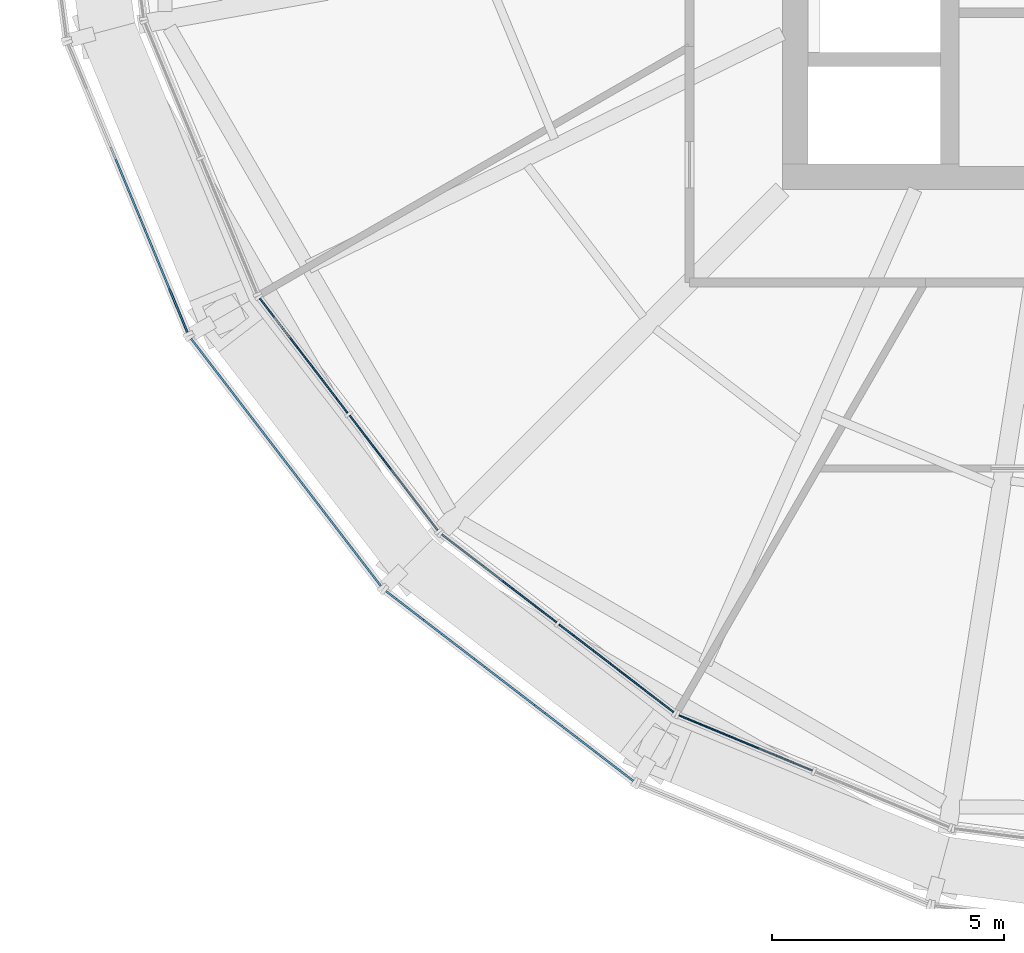
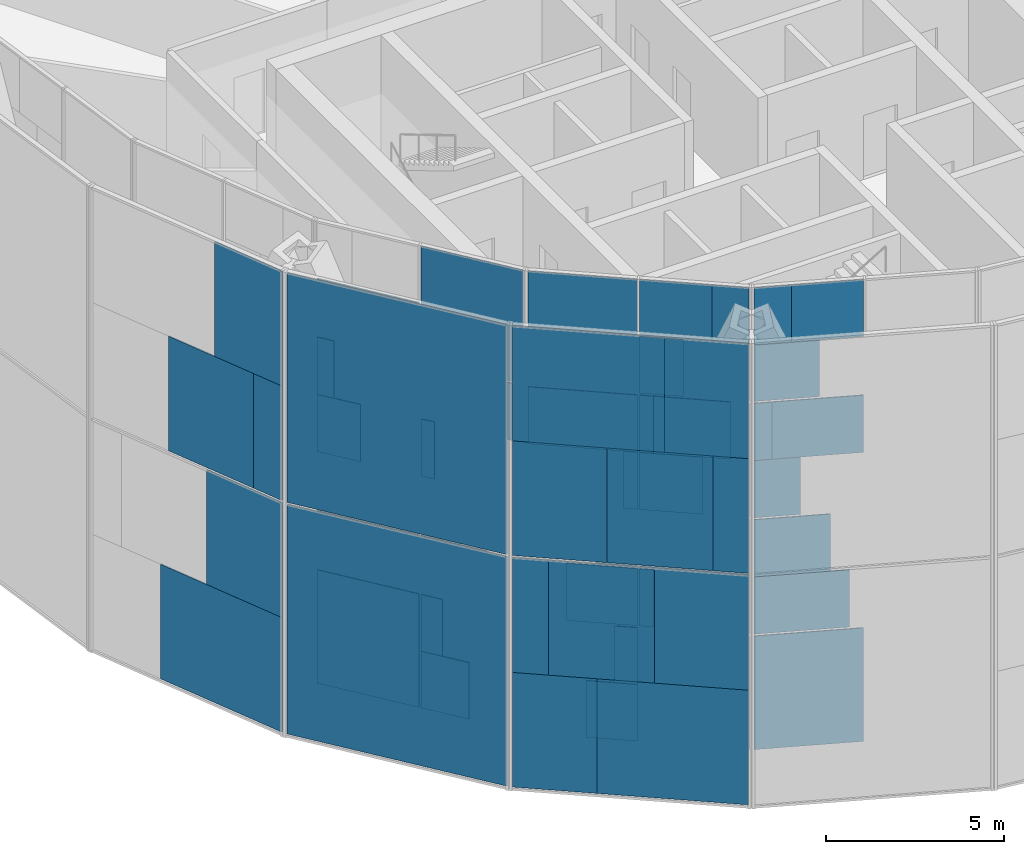
# One storey, part 13 of 30: 63 plates, 6 elements without a shape of their own.
"""IFC4 building model written with IfcOpenShell, lengths in metres."""

from ifc_helpers import new_model, si_unit, direction, frame, origin, origin_2d, place, context, subcontext, project, spatial, rectangle, extrude, material, layer, layer_set, type_object, element, aggregate, save


model = new_model("IFC4")

# Units and contexts
model_context = context("Model", 3, precision=1e-05, world=origin(), true_north=direction((0.0, 1.0)))
body_context = subcontext(model_context, "Body", "Model", "MODEL_VIEW")
ifc_project = project(units=[si_unit("LENGTHUNIT", "METRE"), si_unit("AREAUNIT", "SQUARE_METRE"), si_unit("VOLUMEUNIT", "CUBIC_METRE"), si_unit("PLANEANGLEUNIT", "RADIAN"), si_unit("MASSUNIT", "GRAM", prefix="KILO")], contexts=[model_context])

# Site, building, storey
site_placement = place(None, origin())
site = spatial("IfcSite", under=ifc_project, at=site_placement, CompositionType="ELEMENT")
building_placement = place(site_placement, origin())
building = spatial("IfcBuilding", under=site, at=building_placement, Name="Golbaran Civic Tower", CompositionType="ELEMENT")
storey_placement = place(building_placement, frame((0.0, 0.0, 102.0)))
storey = spatial("IfcBuildingStorey", under=building, at=storey_placement, Name="L24", CompositionType="ELEMENT", Elevation=102.0)

# Curtain wall, plates
ifc_material_1 = material(Name="Aluminium and glass", Category="aluminium")
curtain_wall_type_1 = type_object("IfcCurtainWallType", Name="INNER SKIN CURTAIN WALL", PredefinedType="NOTDEFINED", material=ifc_material_1)
curtain_wall_1_placement = place(storey_placement, origin())
curtain_wall_1 = element("IfcCurtainWall", 1, at=curtain_wall_1_placement, inside=storey, type_object=curtain_wall_type_1, Name="Inner skin L24 facet 15 CW1", ObjectType="INNER SKIN", PredefinedType="USERDEFINED")
ifc_material_2 = material(Name="Clear insulating glass", Category="glass")
ifc_layer_1 = layer(ifc_material_2, 0.031982421875, Name="Clear insulating glass")
ifc_layer_set_1 = layer_set([ifc_layer_1], Name="Clear insulating glass")
plate_type_1 = type_object("IfcPlateType", Name="INNER SKIN CURTAIN WALL GLAZED PANEL", PredefinedType="CURTAIN_PANEL", material=ifc_layer_set_1)
plate_1_placement = place(storey_placement, frame((-20.298828125, -13.574462890625, 0.06494140625), z_axis=(0.0, 0.0, 1.0), x_axis=(0.608761428995, -0.793353340302, 0.0)))
plate_1 = element("IfcPlate", 2, at=plate_1_placement, type_object=plate_type_1, Name="CW1 panel 1.1", PredefinedType="CURTAIN_PANEL", context=body_context, shape_type="SweptSolid", body=[
    extrude(rectangle(XDim=3.110595703125, YDim=0.031982421875, at=origin_2d()), origin(), (0.0, 0.0, 1.0), 3.902587890625),
])
plate_2_placement = place(storey_placement, frame((-20.421142578125, -13.415283203125, 4.03271484375), z_axis=(0.0, 0.0, 1.0), x_axis=(0.608761428995, -0.793353340302, 0.0)))
plate_2 = element("IfcPlate", 3, at=plate_2_placement, type_object=plate_type_1, Name="CW1 panel 1.2 part 1", PredefinedType="CURTAIN_PANEL", context=body_context, shape_type="SweptSolid", body=[
    extrude(rectangle(XDim=2.708984375, YDim=0.031982421875, at=origin_2d()), origin(), (0.0, 0.0, 1.0), 1.967529296875),
])
plate_3_placement = place(storey_placement, frame((-20.584716796875, -13.20166015625, 6.0), z_axis=(0.0, 0.0, 1.0), x_axis=(0.608761428995, -0.793353340302, 0.0)))
plate_3 = element("IfcPlate", 4, at=plate_3_placement, type_object=plate_type_1, Name="CW1 panel 1.2 part 3", PredefinedType="CURTAIN_PANEL", context=body_context, shape_type="SweptSolid", body=[
    extrude(rectangle(XDim=2.1708984375, YDim=0.031982421875, at=origin_2d()), origin(), (0.0, 0.0, 1.0), 1.967529296875),
])
plate_4_placement = place(storey_placement, frame((-20.841064453125, -12.86767578125, 8.03271484375), z_axis=(0.0, 0.0, 1.0), x_axis=(0.608761428995, -0.793353340302, 0.0)))
plate_4 = element("IfcPlate", 5, at=plate_4_placement, type_object=plate_type_1, Name="CW1 panel 1.3 part 1", PredefinedType="CURTAIN_PANEL", context=body_context, shape_type="SweptSolid", body=[
    extrude(rectangle(XDim=1.3291015625, YDim=0.031982421875, at=origin_2d()), origin(), (0.0, 0.0, 1.0), 1.967529296875),
])
plate_5_placement = place(storey_placement, frame((-21.089111328125, -12.54443359375, 10.0), z_axis=(0.0, 0.0, 1.0), x_axis=(0.608761428995, -0.793353340302, 0.0)))
plate_5 = element("IfcPlate", 6, at=plate_5_placement, type_object=plate_type_1, Name="CW1 panel 1.3 part 3", PredefinedType="CURTAIN_PANEL", context=body_context, shape_type="SweptSolid", body=[
    extrude(rectangle(XDim=0.513916015625, YDim=0.031982421875, at=origin_2d()), origin(), (0.0, 0.0, 1.0), 1.967529296875),
])
plate_6_placement = place(storey_placement, frame((-19.72998046875, -14.31591796875, 12.032470703125), z_axis=(0.0, 0.0, 1.0), x_axis=(0.608761428995, -0.793353340302, 0.0)))
plate_6 = element("IfcPlate", 7, at=plate_6_placement, type_object=plate_type_1, Name="CW1 panel 1.4 part 2", PredefinedType="CURTAIN_PANEL", context=body_context, shape_type="SweptSolid", body=[
    extrude(rectangle(XDim=1.241455078125, YDim=0.031982421875, at=origin_2d()), origin(), (0.0, 0.0, 1.0), 1.951171875),
])
plate_7_placement = place(storey_placement, frame((-18.867919921875, -15.43896484375, 0.06494140625), z_axis=(0.0, 0.0, 1.0), x_axis=(0.608761428995, -0.793353340302, 0.0)))
plate_7 = element("IfcPlate", 8, at=plate_7_placement, type_object=plate_type_1, Name="CW1 panel 2.1 part 1", PredefinedType="CURTAIN_PANEL", context=body_context, shape_type="SweptSolid", body=[
    extrude(rectangle(XDim=1.4599609375, YDim=0.031982421875, at=origin_2d()), origin(), (0.0, 0.0, 1.0), 1.951171875),
])
plate_8_placement = place(storey_placement, frame((-19.114013671875, -15.11865234375, 2.016357421875), z_axis=(0.0, 0.0, 1.0), x_axis=(0.608761428995, -0.793353340302, 0.0)))
plate_8 = element("IfcPlate", 9, at=plate_8_placement, type_object=plate_type_1, Name="CW1 panel 2.1 part 3", PredefinedType="CURTAIN_PANEL", context=body_context, shape_type="SweptSolid", body=[
    extrude(rectangle(XDim=0.652099609375, YDim=0.031982421875, at=origin_2d()), origin(), (0.0, 0.0, 1.0), 1.951171875),
])
plate_9_placement = place(storey_placement, frame((-18.36572265625, -16.09375, 10.0), z_axis=(0.0, 0.0, 1.0), x_axis=(0.608761428995, -0.793353340302, 0.0)))
plate_9 = element("IfcPlate", 10, at=plate_9_placement, type_object=plate_type_1, Name="CW1 panel 2.3 part 3", PredefinedType="CURTAIN_PANEL", context=body_context, shape_type="SweptSolid", body=[
    extrude(rectangle(XDim=3.110595703125, YDim=0.031982421875, at=origin_2d()), origin(), (0.0, 0.0, 1.0), 1.967529296875),
])
plate_10_placement = place(storey_placement, frame((-18.36572265625, -16.09375, 12.0322265625), z_axis=(0.0, 0.0, 1.0), x_axis=(0.608761428995, -0.793353340302, 0.0)))
plate_10 = element("IfcPlate", 11, at=plate_10_placement, type_object=plate_type_1, Name="CW1 panel 2.4", PredefinedType="CURTAIN_PANEL", context=body_context, shape_type="SweptSolid", body=[
    extrude(rectangle(XDim=3.110595703125, YDim=0.031982421875, at=origin_2d()), origin(), (0.0, 0.0, 1.0), 3.902587890625),
])

curtain_wall_2_placement = place(storey_placement, origin())
curtain_wall_2 = element("IfcCurtainWall", 12, at=curtain_wall_2_placement, inside=storey, type_object=curtain_wall_type_1, Name="Inner skin L24 facet 16 CW1", ObjectType="INNER SKIN", PredefinedType="USERDEFINED")
plate_11_placement = place(storey_placement, frame((-15.439208984375, -18.867919921875, 0.06494140625), z_axis=(0.0, 0.0, 1.0), x_axis=(0.793353340302, -0.608761428995, 0.0)))
plate_11 = element("IfcPlate", 13, at=plate_11_placement, type_object=plate_type_1, Name="CW1 panel 1.1 part 2", PredefinedType="CURTAIN_PANEL", context=body_context, shape_type="SweptSolid", body=[
    extrude(rectangle(XDim=1.460693359375, YDim=0.031982421875, at=origin_2d()), origin(), (0.0, 0.0, 1.0), 1.951171875),
])
plate_12_placement = place(storey_placement, frame((-15.118408203125, -19.114013671875, 2.016357421875), z_axis=(0.0, 0.0, 1.0), x_axis=(0.793353340302, -0.608761428995, 0.0)))
plate_12 = element("IfcPlate", 14, at=plate_12_placement, type_object=plate_type_1, Name="CW1 panel 1.1 part 4", PredefinedType="CURTAIN_PANEL", context=body_context, shape_type="SweptSolid", body=[
    extrude(rectangle(XDim=0.651611328125, YDim=0.031982421875, at=origin_2d()), origin(), (0.0, 0.0, 1.0), 1.951171875),
])
plate_13_placement = place(storey_placement, frame((-16.09375, -18.36572265625, 10.0), z_axis=(0.0, 0.0, 1.0), x_axis=(0.793353340302, -0.608761428995, 0.0)))
plate_13 = element("IfcPlate", 15, at=plate_13_placement, type_object=plate_type_1, Name="CW1 panel 1.3 part 3", PredefinedType="CURTAIN_PANEL", context=body_context, shape_type="SweptSolid", body=[
    extrude(rectangle(XDim=3.110595703125, YDim=0.031982421875, at=origin_2d()), origin(), (0.0, 0.0, 1.0), 1.967529296875),
])
plate_14_placement = place(storey_placement, frame((-16.09375, -18.36572265625, 12.0322265625), z_axis=(0.0, 0.0, 1.0), x_axis=(0.793353340302, -0.608761428995, 0.0)))
plate_14 = element("IfcPlate", 16, at=plate_14_placement, type_object=plate_type_1, Name="CW1 panel 1.4", PredefinedType="CURTAIN_PANEL", context=body_context, shape_type="SweptSolid", body=[
    extrude(rectangle(XDim=3.110595703125, YDim=0.031982421875, at=origin_2d()), origin(), (0.0, 0.0, 1.0), 3.902587890625),
])
plate_15_placement = place(storey_placement, frame((-13.574462890625, -20.298828125, 0.06494140625), z_axis=(0.0, 0.0, 1.0), x_axis=(0.793353340302, -0.608761428995, 0.0)))
plate_15 = element("IfcPlate", 17, at=plate_15_placement, type_object=plate_type_1, Name="CW1 panel 2.1", PredefinedType="CURTAIN_PANEL", context=body_context, shape_type="SweptSolid", body=[
    extrude(rectangle(XDim=3.110595703125, YDim=0.031982421875, at=origin_2d()), origin(), (0.0, 0.0, 1.0), 3.902587890625),
])
plate_16_placement = place(storey_placement, frame((-13.415283203125, -20.4208984375, 4.03271484375), z_axis=(0.0, 0.0, 1.0), x_axis=(0.793353340302, -0.608761428995, 0.0)))
plate_16 = element("IfcPlate", 18, at=plate_16_placement, type_object=plate_type_1, Name="CW1 panel 2.2 part 2", PredefinedType="CURTAIN_PANEL", context=body_context, shape_type="SweptSolid", body=[
    extrude(rectangle(XDim=2.70947265625, YDim=0.031982421875, at=origin_2d()), origin(), (0.0, 0.0, 1.0), 1.967529296875),
])
plate_17_placement = place(storey_placement, frame((-13.20166015625, -20.5849609375, 6.0), z_axis=(0.0, 0.0, 1.0), x_axis=(0.793353340302, -0.608761428995, 0.0)))
plate_17 = element("IfcPlate", 19, at=plate_17_placement, type_object=plate_type_1, Name="CW1 panel 2.2 part 4", PredefinedType="CURTAIN_PANEL", context=body_context, shape_type="SweptSolid", body=[
    extrude(rectangle(XDim=2.170654296875, YDim=0.031982421875, at=origin_2d()), origin(), (0.0, 0.0, 1.0), 1.967529296875),
])
plate_18_placement = place(storey_placement, frame((-12.86767578125, -20.84130859375, 8.03271484375), z_axis=(0.0, 0.0, 1.0), x_axis=(0.793353340302, -0.608761428995, 0.0)))
plate_18 = element("IfcPlate", 20, at=plate_18_placement, type_object=plate_type_1, Name="CW1 panel 2.3 part 2", PredefinedType="CURTAIN_PANEL", context=body_context, shape_type="SweptSolid", body=[
    extrude(rectangle(XDim=1.32861328125, YDim=0.031982421875, at=origin_2d()), origin(), (0.0, 0.0, 1.0), 1.967529296875),
])
plate_19_placement = place(storey_placement, frame((-14.649658203125, -19.473876953125, 10.0), z_axis=(0.0, 0.0, 1.0), x_axis=(0.793353340302, -0.608761428995, 0.0)))
plate_19 = element("IfcPlate", 21, at=plate_19_placement, type_object=plate_type_1, Name="CW1 panel 2.3 part 3", PredefinedType="CURTAIN_PANEL", context=body_context, shape_type="SweptSolid", body=[
    extrude(rectangle(XDim=0.39990234375, YDim=0.031982421875, at=origin_2d()), origin(), (0.0, 0.0, 1.0), 1.967529296875),
])
plate_20_placement = place(storey_placement, frame((-12.544189453125, -21.08935546875, 10.0), z_axis=(0.0, 0.0, 1.0), x_axis=(0.793353340302, -0.608761428995, 0.0)))
plate_20 = element("IfcPlate", 22, at=plate_20_placement, type_object=plate_type_1, Name="CW1 panel 2.3 part 5", PredefinedType="CURTAIN_PANEL", context=body_context, shape_type="SweptSolid", body=[
    extrude(rectangle(XDim=0.513671875, YDim=0.031982421875, at=origin_2d()), origin(), (0.0, 0.0, 1.0), 1.967529296875),
])
plate_21_placement = place(storey_placement, frame((-14.315673828125, -19.72998046875, 12.032470703125), z_axis=(0.0, 0.0, 1.0), x_axis=(0.793353340302, -0.608761428995, 0.0)))
plate_21 = element("IfcPlate", 23, at=plate_21_placement, type_object=plate_type_1, Name="CW1 panel 2.4 part 1", PredefinedType="CURTAIN_PANEL", context=body_context, shape_type="SweptSolid", body=[
    extrude(rectangle(XDim=1.241943359375, YDim=0.031982421875, at=origin_2d()), origin(), (0.0, 0.0, 1.0), 1.951171875),
])
plate_22_placement = place(storey_placement, frame((-13.9951171875, -19.97607421875, 13.98388671875), z_axis=(0.0, 0.0, 1.0), x_axis=(0.793353340302, -0.608761428995, 0.0)))
plate_22 = element("IfcPlate", 24, at=plate_22_placement, type_object=plate_type_1, Name="CW1 panel 2.4 part 3", PredefinedType="CURTAIN_PANEL", context=body_context, shape_type="SweptSolid", body=[
    extrude(rectangle(XDim=2.050048828125, YDim=0.031982421875, at=origin_2d()), origin(), (0.0, 0.0, 1.0), 1.951171875),
])

curtain_wall_3_placement = place(storey_placement, origin())
curtain_wall_3 = element("IfcCurtainWall", 25, at=curtain_wall_3_placement, inside=storey, type_object=curtain_wall_type_1, Name="Inner skin L24 facet 17 CW1", ObjectType="INNER SKIN", PredefinedType="USERDEFINED")
plate_23_placement = place(storey_placement, frame((-10.7919921875, -21.9052734375, 0.06494140625), z_axis=(0.0, 0.0, 1.0), x_axis=(0.923879532465, -0.382683432478, 0.0)))
plate_23 = element("IfcPlate", 26, at=plate_23_placement, type_object=plate_type_1, Name="CW1 panel 1.1", PredefinedType="CURTAIN_PANEL", context=body_context, shape_type="SweptSolid", body=[
    extrude(rectangle(XDim=3.110595703125, YDim=0.031982421875, at=origin_2d()), origin(), (0.0, 0.0, 1.0), 3.902587890625),
])
plate_24_placement = place(storey_placement, frame((-10.9775390625, -21.828369140625, 4.03271484375), z_axis=(0.0, 0.0, 1.0), x_axis=(0.923879532465, -0.382683432478, 0.0)))
plate_24 = element("IfcPlate", 27, at=plate_24_placement, type_object=plate_type_1, Name="CW1 panel 1.2 part 1", PredefinedType="CURTAIN_PANEL", context=body_context, shape_type="SweptSolid", body=[
    extrude(rectangle(XDim=2.708984375, YDim=0.031982421875, at=origin_2d()), origin(), (0.0, 0.0, 1.0), 1.967529296875),
])
plate_25_placement = place(storey_placement, frame((-11.22607421875, -21.725341796875, 6.0), z_axis=(0.0, 0.0, 1.0), x_axis=(0.923879532465, -0.382683432478, 0.0)))
plate_25 = element("IfcPlate", 28, at=plate_25_placement, type_object=plate_type_1, Name="CW1 panel 1.2 part 3", PredefinedType="CURTAIN_PANEL", context=body_context, shape_type="SweptSolid", body=[
    extrude(rectangle(XDim=2.1708984375, YDim=0.031982421875, at=origin_2d()), origin(), (0.0, 0.0, 1.0), 1.967529296875),
])
plate_26_placement = place(storey_placement, frame((-11.614990234375, -21.564453125, 8.03271484375), z_axis=(0.0, 0.0, 1.0), x_axis=(0.923879532465, -0.382683432478, 0.0)))
plate_26 = element("IfcPlate", 29, at=plate_26_placement, type_object=plate_type_1, Name="CW1 panel 1.3 part 1", PredefinedType="CURTAIN_PANEL", context=body_context, shape_type="SweptSolid", body=[
    extrude(rectangle(XDim=1.3291015625, YDim=0.031982421875, at=origin_2d()), origin(), (0.0, 0.0, 1.0), 1.967529296875),
])
plate_27_placement = place(storey_placement, frame((-11.991455078125, -21.408447265625, 10.0), z_axis=(0.0, 0.0, 1.0), x_axis=(0.923879532465, -0.382683432478, 0.0)))
plate_27 = element("IfcPlate", 30, at=plate_27_placement, type_object=plate_type_1, Name="CW1 panel 1.3 part 3", PredefinedType="CURTAIN_PANEL", context=body_context, shape_type="SweptSolid", body=[
    extrude(rectangle(XDim=0.513916015625, YDim=0.031982421875, at=origin_2d()), origin(), (0.0, 0.0, 1.0), 1.967529296875),
])
plate_28_placement = place(storey_placement, frame((-10.302001953125, -22.108154296875, 13.98388671875), z_axis=(0.0, 0.0, 1.0), x_axis=(0.923879532465, -0.382683432478, 0.0)))
plate_28 = element("IfcPlate", 31, at=plate_28_placement, type_object=plate_type_1, Name="CW1 panel 1.4 part 4", PredefinedType="CURTAIN_PANEL", context=body_context, shape_type="SweptSolid", body=[
    extrude(rectangle(XDim=2.049560546875, YDim=0.031982421875, at=origin_2d()), origin(), (0.0, 0.0, 1.0), 1.951171875),
])

# Plate
ifc_material_3 = material(Name="Aluminium faced opaque infill panel", Category="aluminium")
ifc_layer_2 = layer(ifc_material_3, 0.031982421875, Name="Aluminium faced opaque infill panel")
ifc_layer_set_2 = layer_set([ifc_layer_2], Name="Aluminium faced opaque infill panel")
plate_type_2 = type_object("IfcPlateType", Name="INNER SKIN CURTAIN WALL OPAQUE INFILL PANEL", PredefinedType="CURTAIN_PANEL", material=ifc_layer_set_2)
plate_29_placement = place(storey_placement, frame((-19.47412109375, -14.649169921875, 4.03271484375), z_axis=(0.0, 0.0, 1.0), x_axis=(0.608761428995, -0.793353340302, 0.0)))
plate_29 = element("IfcPlate", 32, at=plate_29_placement, type_object=plate_type_2, Name="CW1 infill panel 1.2 part 2", PredefinedType="CURTAIN_PANEL", context=body_context, shape_type="SweptSolid", body=[
    extrude(rectangle(XDim=0.401611328125, YDim=0.031982421875, at=origin_2d()), origin(), (0.0, 0.0, 1.0), 1.967529296875),
])

plate_30_placement = place(storey_placement, frame((-19.637939453125, -14.435546875, 6.0), z_axis=(0.0, 0.0, 1.0), x_axis=(0.608761428995, -0.793353340302, 0.0)))
plate_30 = element("IfcPlate", 33, at=plate_30_placement, type_object=plate_type_2, Name="CW1 infill panel 1.2 part 4", PredefinedType="CURTAIN_PANEL", context=body_context, shape_type="SweptSolid", body=[
    extrude(rectangle(XDim=0.939453125, YDim=0.031982421875, at=origin_2d()), origin(), (0.0, 0.0, 1.0), 1.967529296875),
])

plate_31_placement = place(storey_placement, frame((-20.6767578125, -13.08203125, 12.032470703125), z_axis=(0.0, 0.0, 1.0), x_axis=(0.608761428995, -0.793353340302, 0.0)))
plate_31 = element("IfcPlate", 34, at=plate_31_placement, type_object=plate_type_2, Name="CW1 infill panel 1.4 part 1", PredefinedType="CURTAIN_PANEL", context=body_context, shape_type="SweptSolid", body=[
    extrude(rectangle(XDim=1.868896484375, YDim=0.031982421875, at=origin_2d()), origin(), (0.0, 0.0, 1.0), 1.951171875),
])

plate_32_placement = place(storey_placement, frame((-18.70166015625, -15.656005859375, 4.03271484375), z_axis=(0.0, 0.0, 1.0), x_axis=(0.608761428995, -0.793353340302, 0.0)))
plate_32 = element("IfcPlate", 35, at=plate_32_placement, type_object=plate_type_2, Name="CW1 infill panel 2.2 part 1", PredefinedType="CURTAIN_PANEL", context=body_context, shape_type="SweptSolid", body=[
    extrude(rectangle(XDim=2.007080078125, YDim=0.031982421875, at=origin_2d()), origin(), (0.0, 0.0, 1.0), 1.967529296875),
])

plate_33_placement = place(storey_placement, frame((-18.94970703125, -15.332763671875, 6.0), z_axis=(0.0, 0.0, 1.0), x_axis=(0.608761428995, -0.793353340302, 0.0)))
plate_33 = element("IfcPlate", 36, at=plate_33_placement, type_object=plate_type_2, Name="CW1 infill panel 2.2 part 3", PredefinedType="CURTAIN_PANEL", context=body_context, shape_type="SweptSolid", body=[
    extrude(rectangle(XDim=1.19189453125, YDim=0.031982421875, at=origin_2d()), origin(), (0.0, 0.0, 1.0), 1.967529296875),
])

plate_34_placement = place(storey_placement, frame((-19.190673828125, -15.0185546875, 8.03271484375), z_axis=(0.0, 0.0, 1.0), x_axis=(0.608761428995, -0.793353340302, 0.0)))
plate_34 = element("IfcPlate", 37, at=plate_34_placement, type_object=plate_type_2, Name="CW1 infill panel 2.3 part 1", PredefinedType="CURTAIN_PANEL", context=body_context, shape_type="SweptSolid", body=[
    extrude(rectangle(XDim=0.39990234375, YDim=0.031982421875, at=origin_2d()), origin(), (0.0, 0.0, 1.0), 1.967529296875),
])

aggregate(curtain_wall_1, [plate_1, plate_2, plate_29, plate_3, plate_30, plate_4, plate_5, plate_31, plate_6, plate_7, plate_8, plate_32, plate_33, plate_34, plate_9, plate_10])

plate_35_placement = place(storey_placement, frame((-15.65576171875, -18.70166015625, 4.03271484375), z_axis=(0.0, 0.0, 1.0), x_axis=(0.793353340302, -0.608761428995, 0.0)))
plate_35 = element("IfcPlate", 38, at=plate_35_placement, type_object=plate_type_2, Name="CW1 infill panel 1.2 part 2", PredefinedType="CURTAIN_PANEL", context=body_context, shape_type="SweptSolid", body=[
    extrude(rectangle(XDim=2.006591796875, YDim=0.031982421875, at=origin_2d()), origin(), (0.0, 0.0, 1.0), 1.967529296875),
])

plate_36_placement = place(storey_placement, frame((-15.33251953125, -18.94970703125, 6.0), z_axis=(0.0, 0.0, 1.0), x_axis=(0.793353340302, -0.608761428995, 0.0)))
plate_36 = element("IfcPlate", 39, at=plate_36_placement, type_object=plate_type_2, Name="CW1 infill panel 1.2 part 4", PredefinedType="CURTAIN_PANEL", context=body_context, shape_type="SweptSolid", body=[
    extrude(rectangle(XDim=1.191650390625, YDim=0.031982421875, at=origin_2d()), origin(), (0.0, 0.0, 1.0), 1.967529296875),
])

plate_37_placement = place(storey_placement, frame((-15.019287109375, -19.190185546875, 8.03271484375), z_axis=(0.0, 0.0, 1.0), x_axis=(0.793353340302, -0.608761428995, 0.0)))
plate_37 = element("IfcPlate", 40, at=plate_37_placement, type_object=plate_type_2, Name="CW1 infill panel 1.3 part 2", PredefinedType="CURTAIN_PANEL", context=body_context, shape_type="SweptSolid", body=[
    extrude(rectangle(XDim=0.401611328125, YDim=0.031982421875, at=origin_2d()), origin(), (0.0, 0.0, 1.0), 1.967529296875),
])

plate_38_placement = place(storey_placement, frame((-14.649169921875, -19.47412109375, 4.03271484375), z_axis=(0.0, 0.0, 1.0), x_axis=(0.793353340302, -0.608761428995, 0.0)))
plate_38 = element("IfcPlate", 41, at=plate_38_placement, type_object=plate_type_2, Name="CW1 infill panel 2.2 part 1", PredefinedType="CURTAIN_PANEL", context=body_context, shape_type="SweptSolid", body=[
    extrude(rectangle(XDim=0.40087890625, YDim=0.031982421875, at=origin_2d()), origin(), (0.0, 0.0, 1.0), 1.967529296875),
])

plate_39_placement = place(storey_placement, frame((-14.435546875, -19.63818359375, 6.0), z_axis=(0.0, 0.0, 1.0), x_axis=(0.793353340302, -0.608761428995, 0.0)))
plate_39 = element("IfcPlate", 42, at=plate_39_placement, type_object=plate_type_2, Name="CW1 infill panel 2.2 part 3", PredefinedType="CURTAIN_PANEL", context=body_context, shape_type="SweptSolid", body=[
    extrude(rectangle(XDim=0.93994140625, YDim=0.031982421875, at=origin_2d()), origin(), (0.0, 0.0, 1.0), 1.967529296875),
])

plate_40_placement = place(storey_placement, frame((-14.1015625, -19.89453125, 8.03271484375), z_axis=(0.0, 0.0, 1.0), x_axis=(0.793353340302, -0.608761428995, 0.0)))
plate_40 = element("IfcPlate", 43, at=plate_40_placement, type_object=plate_type_2, Name="CW1 infill panel 2.3 part 1", PredefinedType="CURTAIN_PANEL", context=body_context, shape_type="SweptSolid", body=[
    extrude(rectangle(XDim=1.781982421875, YDim=0.031982421875, at=origin_2d()), origin(), (0.0, 0.0, 1.0), 1.967529296875),
])

plate_41_placement = place(storey_placement, frame((-13.61962890625, -20.26416015625, 10.0), z_axis=(0.0, 0.0, 1.0), x_axis=(0.793353340302, -0.608761428995, 0.0)))
plate_41 = element("IfcPlate", 44, at=plate_41_placement, type_object=plate_type_2, Name="CW1 infill panel 2.3 part 4", PredefinedType="CURTAIN_PANEL", context=body_context, shape_type="SweptSolid", body=[
    extrude(rectangle(XDim=2.197021484375, YDim=0.031982421875, at=origin_2d()), origin(), (0.0, 0.0, 1.0), 1.967529296875),
])

plate_42_placement = place(storey_placement, frame((-13.081787109375, -20.6767578125, 12.032470703125), z_axis=(0.0, 0.0, 1.0), x_axis=(0.793353340302, -0.608761428995, 0.0)))
plate_42 = element("IfcPlate", 45, at=plate_42_placement, type_object=plate_type_2, Name="CW1 infill panel 2.4 part 2", PredefinedType="CURTAIN_PANEL", context=body_context, shape_type="SweptSolid", body=[
    extrude(rectangle(XDim=1.86865234375, YDim=0.031982421875, at=origin_2d()), origin(), (0.0, 0.0, 1.0), 1.951171875),
])

plate_43_placement = place(storey_placement, frame((-12.76123046875, -20.9228515625, 13.98388671875), z_axis=(0.0, 0.0, 1.0), x_axis=(0.793353340302, -0.608761428995, 0.0)))
plate_43 = element("IfcPlate", 46, at=plate_43_placement, type_object=plate_type_2, Name="CW1 infill panel 2.4 part 4", PredefinedType="CURTAIN_PANEL", context=body_context, shape_type="SweptSolid", body=[
    extrude(rectangle(XDim=1.060546875, YDim=0.031982421875, at=origin_2d()), origin(), (0.0, 0.0, 1.0), 1.951171875),
])

aggregate(curtain_wall_2, [plate_11, plate_12, plate_35, plate_36, plate_37, plate_13, plate_14, plate_15, plate_38, plate_16, plate_39, plate_17, plate_40, plate_18, plate_19, plate_41, plate_20, plate_21, plate_42, plate_22, plate_43])

plate_44_placement = place(storey_placement, frame((-10.5546875, -22.003662109375, 10.0), z_axis=(0.0, 0.0, 1.0), x_axis=(0.923879532465, -0.382683432478, 0.0)))
plate_44 = element("IfcPlate", 47, at=plate_44_placement, type_object=plate_type_2, Name="CW1 infill panel 1.3 part 4", PredefinedType="CURTAIN_PANEL", context=body_context, shape_type="SweptSolid", body=[
    extrude(rectangle(XDim=2.5966796875, YDim=0.031982421875, at=origin_2d()), origin(), (0.0, 0.0, 1.0), 1.967529296875),
])

plate_45_placement = place(storey_placement, frame((-11.365478515625, -21.667724609375, 12.032470703125), z_axis=(0.0, 0.0, 1.0), x_axis=(0.923879532465, -0.382683432478, 0.0)))
plate_45 = element("IfcPlate", 48, at=plate_45_placement, type_object=plate_type_2, Name="CW1 infill panel 1.4 part 1", PredefinedType="CURTAIN_PANEL", context=body_context, shape_type="SweptSolid", body=[
    extrude(rectangle(XDim=1.868896484375, YDim=0.031982421875, at=origin_2d()), origin(), (0.0, 0.0, 1.0), 1.951171875),
])

plate_46_placement = place(storey_placement, frame((-11.73876953125, -21.512939453125, 13.98388671875), z_axis=(0.0, 0.0, 1.0), x_axis=(0.923879532465, -0.382683432478, 0.0)))
plate_46 = element("IfcPlate", 49, at=plate_46_placement, type_object=plate_type_2, Name="CW1 infill panel 1.4 part 3", PredefinedType="CURTAIN_PANEL", context=body_context, shape_type="SweptSolid", body=[
    extrude(rectangle(XDim=1.06103515625, YDim=0.031982421875, at=origin_2d()), origin(), (0.0, 0.0, 1.0), 1.951171875),
])

aggregate(curtain_wall_3, [plate_23, plate_24, plate_25, plate_26, plate_27, plate_44, plate_45, plate_46, plate_28])

# Curtain wall, plates
curtain_wall_type_2 = type_object("IfcCurtainWallType", Name="OUTER SKIN TERRACOTTA SCREEN", PredefinedType="NOTDEFINED", material=ifc_material_1)
curtain_wall_4_placement = place(storey_placement, origin())
curtain_wall_4 = element("IfcCurtainWall", 50, at=curtain_wall_4_placement, inside=storey, type_object=curtain_wall_type_2, Name="Outer skin L24 facet 14 CW3", ObjectType="OUTER SKIN", PredefinedType="USERDEFINED")
ifc_material_4 = material(Name="Clear laminated glass", Category="glass")
ifc_layer_3 = layer(ifc_material_4, 0.0400390625, Name="Clear laminated glass")
ifc_layer_set_3 = layer_set([ifc_layer_3], Name="Clear laminated glass")
plate_type_3 = type_object("IfcPlateType", Name="OUTER SKIN CLEAR GLASS PANEL", PredefinedType="CURTAIN_PANEL", material=ifc_layer_set_3)
plate_47_placement = place(storey_placement, frame((-23.62548828125, -11.082275390625, -0.6298828125), z_axis=(0.0, 0.0, 1.0), x_axis=(0.382683432381, -0.923879532505, 0.0)))
plate_47 = element("IfcPlate", 51, at=plate_47_placement, type_object=plate_type_3, Name="CW3 panel 1.1 part 2", PredefinedType="CURTAIN_PANEL", context=body_context, shape_type="SweptSolid", body=[
    extrude(rectangle(XDim=4.308837890625, YDim=0.0400390625, at=origin_2d()), origin(), (0.0, 0.0, 1.0), 3.93994140625),
])
plate_48_placement = place(storey_placement, frame((-23.313232421875, -11.8359375, 3.31005859375), z_axis=(0.0, 0.0, 1.0), x_axis=(0.382683432381, -0.923879532505, 0.0)))
plate_48 = element("IfcPlate", 52, at=plate_48_placement, type_object=plate_type_3, Name="CW3 panel 1.1 part 5", PredefinedType="CURTAIN_PANEL", context=body_context, shape_type="SweptSolid", body=[
    extrude(rectangle(XDim=2.6767578125, YDim=0.0400390625, at=origin_2d()), origin(), (0.0, 0.0, 1.0), 3.93994140625),
])
plate_49_placement = place(storey_placement, frame((-22.99462890625, -12.605224609375, 7.330078125), z_axis=(0.0, 0.0, 1.0), x_axis=(0.382683432381, -0.923879532505, 0.0)))
plate_49 = element("IfcPlate", 53, at=plate_49_placement, type_object=plate_type_3, Name="CW3 panel 1.2 part 3", PredefinedType="CURTAIN_PANEL", context=body_context, shape_type="SweptSolid", body=[
    extrude(rectangle(XDim=1.011962890625, YDim=0.0400390625, at=origin_2d()), origin(), (0.0, 0.0, 1.0), 3.93994140625),
])

curtain_wall_5_placement = place(storey_placement, origin())
curtain_wall_5 = element("IfcCurtainWall", 54, at=curtain_wall_5_placement, inside=storey, type_object=curtain_wall_type_2, Name="Outer skin L24 facet 16 CW3", ObjectType="OUTER SKIN", PredefinedType="USERDEFINED")
plate_50_placement = place(storey_placement, frame((-14.919189453125, -21.41015625, -0.6298828125), z_axis=(0.0, 0.0, 1.0), x_axis=(0.793353340302, -0.608761428995, 0.0)))
plate_50 = element("IfcPlate", 55, at=plate_50_placement, type_object=plate_type_3, Name="CW3 panel 1.1 part 2", PredefinedType="CURTAIN_PANEL", context=body_context, shape_type="SweptSolid", body=[
    extrude(rectangle(XDim=4.308837890625, YDim=0.0400390625, at=origin_2d()), origin(), (0.0, 0.0, 1.0), 3.93994140625),
])
plate_51_placement = place(storey_placement, frame((-18.126708984375, -18.948974609375, 3.31005859375), z_axis=(0.0, 0.0, 1.0), x_axis=(0.793353340302, -0.608761428995, 0.0)))
plate_51 = element("IfcPlate", 56, at=plate_51_placement, type_object=plate_type_3, Name="CW3 panel 1.1 part 3", PredefinedType="CURTAIN_PANEL", context=body_context, shape_type="SweptSolid", body=[
    extrude(rectangle(XDim=1.012939453125, YDim=0.0400390625, at=origin_2d()), origin(), (0.0, 0.0, 1.0), 3.93994140625),
])
plate_52_placement = place(storey_placement, frame((-14.271728515625, -21.906982421875, 3.31005859375), z_axis=(0.0, 0.0, 1.0), x_axis=(0.793353340302, -0.608761428995, 0.0)))
plate_52 = element("IfcPlate", 57, at=plate_52_placement, type_object=plate_type_3, Name="CW3 panel 1.1 part 5", PredefinedType="CURTAIN_PANEL", context=body_context, shape_type="SweptSolid", body=[
    extrude(rectangle(XDim=2.6767578125, YDim=0.0400390625, at=origin_2d()), origin(), (0.0, 0.0, 1.0), 3.93994140625),
])
plate_53_placement = place(storey_placement, frame((-17.46630859375, -19.455810546875, 7.330078125), z_axis=(0.0, 0.0, 1.0), x_axis=(0.793353340302, -0.608761428995, 0.0)))
plate_53 = element("IfcPlate", 58, at=plate_53_placement, type_object=plate_type_3, Name="CW3 panel 1.2 part 1", PredefinedType="CURTAIN_PANEL", context=body_context, shape_type="SweptSolid", body=[
    extrude(rectangle(XDim=2.677978515625, YDim=0.0400390625, at=origin_2d()), origin(), (0.0, 0.0, 1.0), 3.93994140625),
])
plate_54_placement = place(storey_placement, frame((-13.611328125, -22.413818359375, 7.330078125), z_axis=(0.0, 0.0, 1.0), x_axis=(0.793353340302, -0.608761428995, 0.0)))
plate_54 = element("IfcPlate", 59, at=plate_54_placement, type_object=plate_type_3, Name="CW3 panel 1.2 part 3", PredefinedType="CURTAIN_PANEL", context=body_context, shape_type="SweptSolid", body=[
    extrude(rectangle(XDim=1.011962890625, YDim=0.0400390625, at=origin_2d()), origin(), (0.0, 0.0, 1.0), 3.93994140625),
])
plate_55_placement = place(storey_placement, frame((-16.81884765625, -19.95263671875, 11.27001953125), z_axis=(0.0, 0.0, 1.0), x_axis=(0.793353340302, -0.608761428995, 0.0)))
plate_55 = element("IfcPlate", 60, at=plate_55_placement, type_object=plate_type_3, Name="CW3 panel 1.2 part 4", PredefinedType="CURTAIN_PANEL", context=body_context, shape_type="SweptSolid", body=[
    extrude(rectangle(XDim=4.31005859375, YDim=0.0400390625, at=origin_2d()), origin(), (0.0, 0.0, 1.0), 3.93994140625),
])

# Plate
ifc_material_5 = material(Name="Terracotta baguette screen", Category="masonry")
ifc_layer_4 = layer(ifc_material_5, 0.0400390625, Name="Terracotta baguette screen")
ifc_layer_set_4 = layer_set([ifc_layer_4], Name="Terracotta baguette screen")
plate_type_4 = type_object("IfcPlateType", Name="OUTER SKIN TERRACOTTA INFILL PANEL", PredefinedType="CURTAIN_PANEL", material=ifc_layer_set_4)
plate_56_placement = place(storey_placement, frame((-23.764892578125, -10.745361328125, 7.330078125), z_axis=(0.0, 0.0, 1.0), x_axis=(0.382683432381, -0.923879532505, 0.0)))
plate_56 = element("IfcPlate", 61, at=plate_56_placement, type_object=plate_type_4, Name="CW3 infill panel 1.2 part 2", PredefinedType="CURTAIN_PANEL", context=body_context, shape_type="SweptSolid", body=[
    extrude(rectangle(XDim=3.013916015625, YDim=0.0400390625, at=origin_2d()), origin(), (0.0, 0.0, 1.0), 3.93994140625),
])

plate_57_placement = place(storey_placement, frame((-23.259033203125, -11.966796875, 11.27001953125), z_axis=(0.0, 0.0, 1.0), x_axis=(0.382683432381, -0.923879532505, 0.0)))
plate_57 = element("IfcPlate", 62, at=plate_57_placement, type_object=plate_type_4, Name="CW3 infill panel 1.2 part 5", PredefinedType="CURTAIN_PANEL", context=body_context, shape_type="SweptSolid", body=[
    extrude(rectangle(XDim=2.393798828125, YDim=0.0400390625, at=origin_2d()), origin(), (0.0, 0.0, 1.0), 3.93994140625),
])

aggregate(curtain_wall_4, [plate_47, plate_48, plate_56, plate_49, plate_57])

plate_58_placement = place(storey_placement, frame((-17.578369140625, -19.36962890625, -0.6298828125), z_axis=(0.0, 0.0, 1.0), x_axis=(0.793353340302, -0.608761428995, 0.0)))
plate_58 = element("IfcPlate", 63, at=plate_58_placement, type_object=plate_type_4, Name="CW3 infill panel 1.1 part 1", PredefinedType="CURTAIN_PANEL", context=body_context, shape_type="SweptSolid", body=[
    extrude(rectangle(XDim=2.39501953125, YDim=0.0400390625, at=origin_2d()), origin(), (0.0, 0.0, 1.0), 3.93994140625),
])

plate_59_placement = place(storey_placement, frame((-16.529296875, -20.1748046875, 3.31005859375), z_axis=(0.0, 0.0, 1.0), x_axis=(0.793353340302, -0.608761428995, 0.0)))
plate_59 = element("IfcPlate", 64, at=plate_59_placement, type_object=plate_type_4, Name="CW3 infill panel 1.1 part 4", PredefinedType="CURTAIN_PANEL", context=body_context, shape_type="SweptSolid", body=[
    extrude(rectangle(XDim=3.013916015625, YDim=0.0400390625, at=origin_2d()), origin(), (0.0, 0.0, 1.0), 3.93994140625),
])

plate_60_placement = place(storey_placement, frame((-15.208251953125, -21.188232421875, 7.330078125), z_axis=(0.0, 0.0, 1.0), x_axis=(0.793353340302, -0.608761428995, 0.0)))
plate_60 = element("IfcPlate", 65, at=plate_60_placement, type_object=plate_type_4, Name="CW3 infill panel 1.2 part 2", PredefinedType="CURTAIN_PANEL", context=body_context, shape_type="SweptSolid", body=[
    extrude(rectangle(XDim=3.013916015625, YDim=0.0400390625, at=origin_2d()), origin(), (0.0, 0.0, 1.0), 3.93994140625),
])

plate_61_placement = place(storey_placement, frame((-14.15966796875, -21.9931640625, 11.27001953125), z_axis=(0.0, 0.0, 1.0), x_axis=(0.793353340302, -0.608761428995, 0.0)))
plate_61 = element("IfcPlate", 66, at=plate_61_placement, type_object=plate_type_4, Name="CW3 infill panel 1.2 part 5", PredefinedType="CURTAIN_PANEL", context=body_context, shape_type="SweptSolid", body=[
    extrude(rectangle(XDim=2.393798828125, YDim=0.0400390625, at=origin_2d()), origin(), (0.0, 0.0, 1.0), 3.93994140625),
])

aggregate(curtain_wall_5, [plate_58, plate_50, plate_51, plate_59, plate_52, plate_53, plate_60, plate_54, plate_55, plate_61])

# Curtain wall, plates
curtain_wall_6_placement = place(storey_placement, origin())
curtain_wall_6 = element("IfcCurtainWall", 67, at=curtain_wall_6_placement, inside=storey, type_object=curtain_wall_type_2, Name="Outer skin L24 facet 15 CW3", ObjectType="OUTER SKIN", PredefinedType="USERDEFINED")
ifc_layer_5 = layer(ifc_material_5, 0.0400390625, Name="Terracotta baguette screen")
ifc_layer_set_5 = layer_set([ifc_layer_5], Name="Terracotta baguette screen")
plate_type_5 = type_object("IfcPlateType", Name="OUTER SKIN TERRACOTTA SCREEN PANEL", PredefinedType="CURTAIN_PANEL", material=ifc_layer_set_5)
plate_62_placement = place(storey_placement, frame((-20.68115234375, -15.869140625, -0.6298828125), z_axis=(0.0, 0.0, 1.0), x_axis=(0.608761428995, -0.793353340302, 0.0)))
plate_62 = element("IfcPlate", 68, at=plate_62_placement, type_object=plate_type_5, Name="CW3 terracotta screen panel 1.1", PredefinedType="CURTAIN_PANEL", context=body_context, shape_type="SweptSolid", body=[
    extrude(rectangle(XDim=6.703857421875, YDim=0.0400390625, at=origin_2d()), origin(), (0.0, 0.0, 1.0), 7.8798828125),
])
plate_63_placement = place(storey_placement, frame((-20.68115234375, -15.869140625, 7.330078125), z_axis=(0.0, 0.0, 1.0), x_axis=(0.608761428995, -0.793353340302, 0.0)))
plate_63 = element("IfcPlate", 69, at=plate_63_placement, type_object=plate_type_5, Name="CW3 terracotta screen panel 1.2", PredefinedType="CURTAIN_PANEL", context=body_context, shape_type="SweptSolid", body=[
    extrude(rectangle(XDim=6.703857421875, YDim=0.0400390625, at=origin_2d()), origin(), (0.0, 0.0, 1.0), 7.8798828125),
])
aggregate(curtain_wall_6, [plate_62, plate_63])

save(model, "model.ifc")
